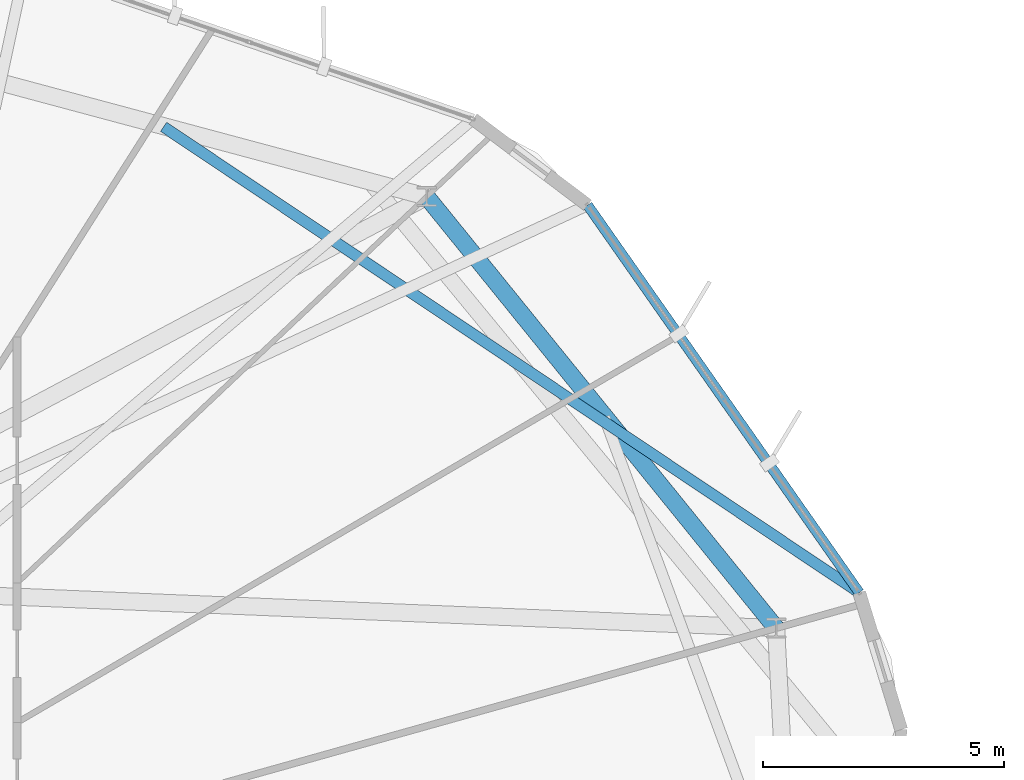
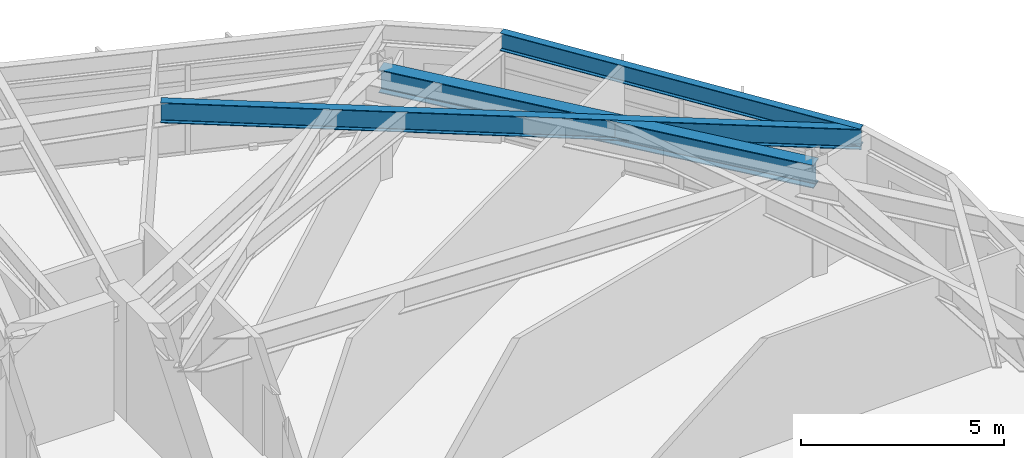
# One storey, part 20 of 29: 3 beams.
"""IFC4 building model written with IfcOpenShell, lengths in metres."""

from ifc_helpers import new_model, si_unit, direction, frame, origin, origin_2d, place, context, subcontext, project, spatial, i_section, extrude, material, material_profile, profile_set, type_object, element, save


model = new_model("IFC4")

# Units and contexts
model_context = context("Model", 3, precision=1e-05, world=origin(), true_north=direction((0.0, 1.0)))
body_context = subcontext(model_context, "Body", "Model", "MODEL_VIEW")
ifc_project = project(units=[si_unit("LENGTHUNIT", "METRE"), si_unit("AREAUNIT", "SQUARE_METRE"), si_unit("VOLUMEUNIT", "CUBIC_METRE"), si_unit("PLANEANGLEUNIT", "RADIAN"), si_unit("MASSUNIT", "GRAM", prefix="KILO")], contexts=[model_context])

# Site, building, storey
site_placement = place(None, origin())
site = spatial("IfcSite", under=ifc_project, at=site_placement, CompositionType="ELEMENT")
building_placement = place(site_placement, origin())
building = spatial("IfcBuilding", under=site, at=building_placement, Name="Soratama Intermodal Tower", CompositionType="ELEMENT")
storey_placement = place(building_placement, frame((0.0, 0.0, 226.60009765625)))
storey = spatial("IfcBuildingStorey", under=building, at=storey_placement, Name="L57", CompositionType="ELEMENT", Elevation=226.60009765625)

# Beams
ifc_material_1 = material(Name="Structural steel ASTM A992 Grade 50", Category="steel")
ifc_material_profile_1 = material_profile(ifc_material_1, i_section(OverallWidth=0.35498046875, OverallDepth=0.695068359375, WebThickness=0.015380859375, FlangeThickness=0.02490234375, FilletRadius=0.01611328125, at=origin_2d()), Name="W27X146")
ifc_profile_set_1 = profile_set([ifc_material_profile_1], Name="Structural steel ASTM A992 Grade 50")
beam_type_1 = type_object("IfcBeamType", Name="BM-RING-W27X146", PredefinedType="BEAM", material=ifc_profile_set_1)
beam_1_placement = place(storey_placement, frame((62.364990234375, 31.666015625, 2.952392578125), z_axis=(-0.629384551156, 0.777094001242, 0.0), x_axis=(-0.777094001242, -0.629384551156, 0.0)))
element("IfcBeam", 1, at=beam_1_placement, inside=storey, type_object=beam_type_1, Name="BM-L57-RING-01", PredefinedType="BEAM", context=body_context, shape_type="SweptSolid", body=[
    extrude(i_section(OverallWidth=0.35498046875, OverallDepth=0.695068359375, WebThickness=0.015380859375, FlangeThickness=0.02490234375, FilletRadius=0.01611328125, at=origin_2d()), origin(), (0.0, 0.0, 1.0), 11.49560546875),
])
ifc_material_2 = material(Name="Structural steel ASTM A992 Grade 50", Category="steel")
ifc_material_profile_2 = material_profile(ifc_material_2, i_section(OverallWidth=0.2099609375, OverallDepth=0.537109375, WebThickness=0.010986328125, FlangeThickness=0.017333984375, FilletRadius=0.012939453125, at=origin_2d()), Name="W21X68")
ifc_profile_set_2 = profile_set([ifc_material_profile_2], Name="Structural steel ASTM A992 Grade 50")
beam_type_2 = type_object("IfcBeamType", Name="BM-SPN-W21X68", PredefinedType="SPANDREL", material=ifc_profile_set_2)
beam_2_placement = place(storey_placement, frame((64.0869140625, 32.40087890625, 3.031494140625), z_axis=(-0.574109362943, 0.818778626603, 0.0), x_axis=(-0.818778626603, -0.574109362943, 0.0)))
element("IfcBeam", 2, at=beam_2_placement, inside=storey, type_object=beam_type_2, Name="BS-L57-F10", PredefinedType="SPANDREL", context=body_context, shape_type="SweptSolid", body=[
    extrude(i_section(OverallWidth=0.2099609375, OverallDepth=0.537109375, WebThickness=0.010986328125, FlangeThickness=0.017333984375, FilletRadius=0.012939453125, at=origin_2d()), origin(), (0.0, 0.0, 1.0), 9.7978515625),
])
ifc_material_3 = material(Name="Structural steel ASTM A992 Grade 50", Category="steel")
ifc_material_profile_3 = material_profile(ifc_material_3, i_section(OverallWidth=0.22900390625, OverallDepth=0.612060546875, WebThickness=0.011962890625, FlangeThickness=0.01953125, FilletRadius=0.012939453125, at=origin_2d()), Name="W24X84")
ifc_profile_set_3 = profile_set([ifc_material_profile_3], Name="Structural steel ASTM A992 Grade 50")
beam_type_3 = type_object("IfcBeamType", Name="BM-TIE-W24X84", PredefinedType="BEAM", material=ifc_profile_set_3)
beam_3_placement = place(storey_placement, frame((49.68408203125, 42.044921875, 2.993896484375), z_axis=(0.83092613056, -0.556382750948, 0.0), x_axis=(0.556382750948, 0.83092613056, 0.0)))
element("IfcBeam", 3, at=beam_3_placement, inside=storey, type_object=beam_type_3, Name="BM-L57-TIE0-10", PredefinedType="BEAM", context=body_context, shape_type="SweptSolid", body=[
    extrude(i_section(OverallWidth=0.22900390625, OverallDepth=0.612060546875, WebThickness=0.011962890625, FlangeThickness=0.01953125, FilletRadius=0.012939453125, at=origin_2d()), origin(), (0.0, 0.0, 1.0), 17.33349609375),
])

save(model, "model.ifc")
